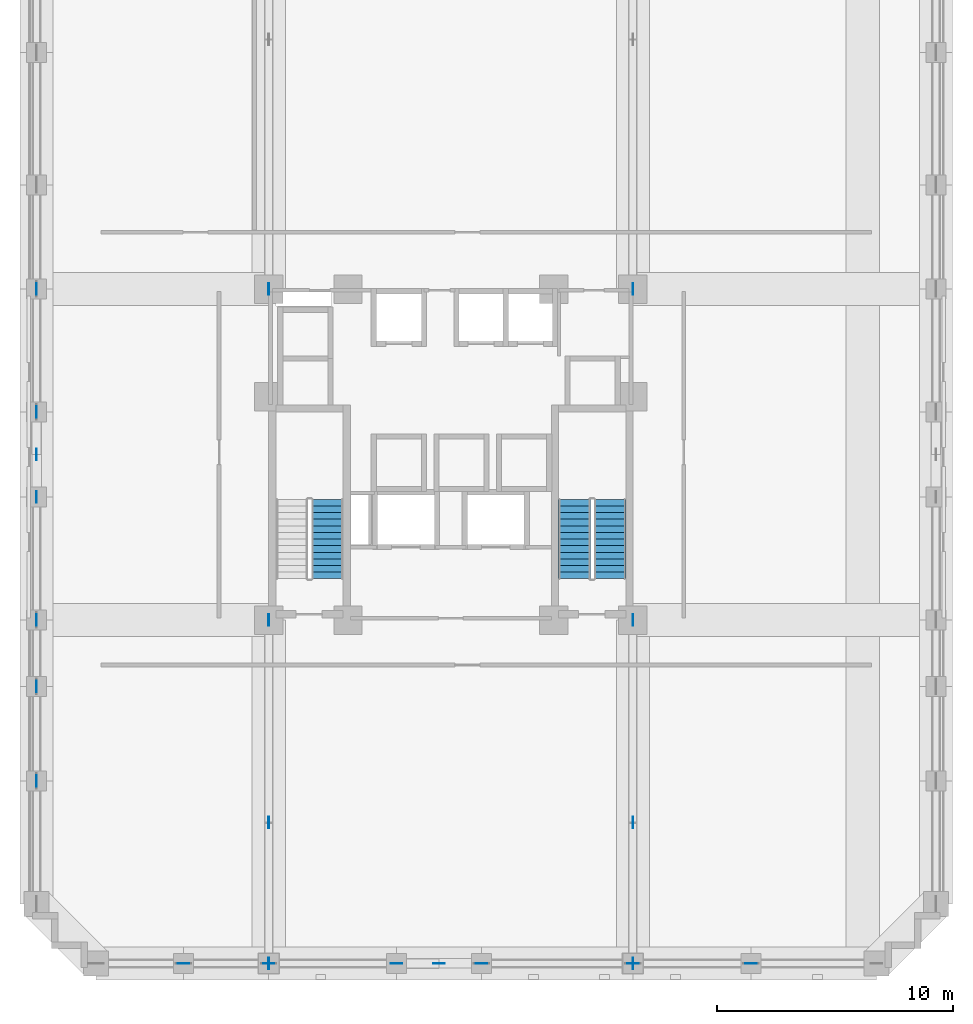
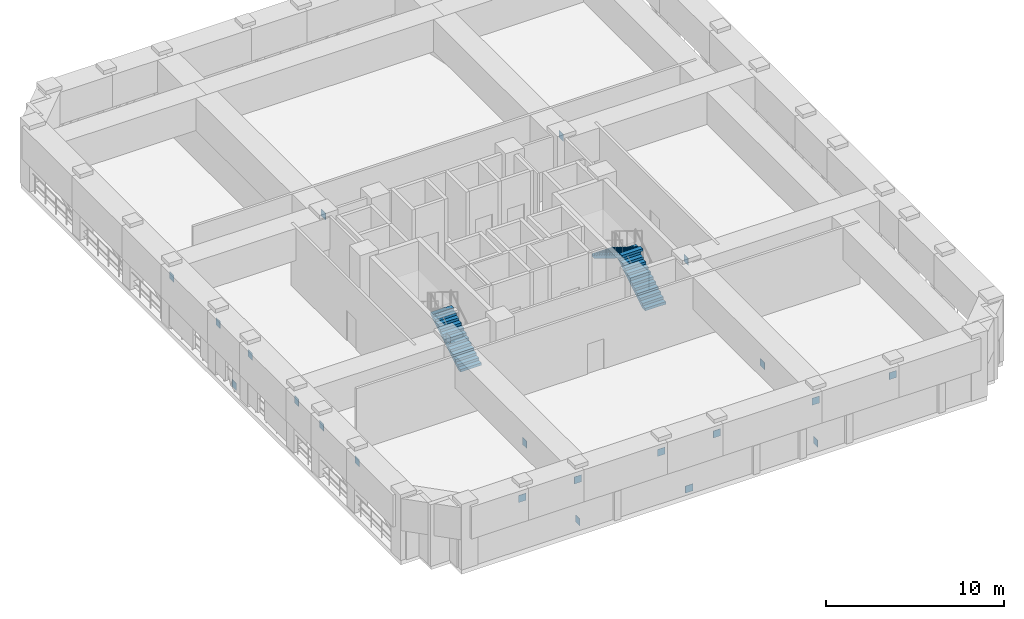
# One storey, part 6 of 11: 22 discrete accessories, 3 stair flights, 2 elements without a shape of their own.
"""IFC4 building model written with IfcOpenShell, lengths in metres."""

from ifc_helpers import new_model, si_unit, derived_unit, direction, frame, origin, origin_2d, place, context, subcontext, project, spatial, polyline, rectangle, outline, extrude, material, layer, layer_set, type_object, element, aggregate, save


model = new_model("IFC4")

# Units and contexts
model_context = context("Model", 3, precision=1e-05, world=origin(), true_north=direction((0.0, 1.0)))
body_context = subcontext(model_context, "Body", "Model", "MODEL_VIEW")
ifc_project = project(units=[si_unit("LENGTHUNIT", "METRE"), si_unit("AREAUNIT", "SQUARE_METRE"), si_unit("VOLUMEUNIT", "CUBIC_METRE"), si_unit("PLANEANGLEUNIT", "RADIAN"), si_unit("MASSUNIT", "GRAM", prefix="KILO"), derived_unit("THERMALTRANSMITTANCEUNIT", [(si_unit("MASSUNIT", "GRAM", prefix="KILO"), 1), (si_unit("TIMEUNIT", "SECOND"), -3), (si_unit("THERMODYNAMICTEMPERATUREUNIT", "KELVIN"), -1)])], contexts=[model_context])

# Site, building, storey
site_placement = place(None, origin())
site = spatial("IfcSite", under=ifc_project, at=site_placement, CompositionType="ELEMENT")
building_placement = place(site_placement, origin())
building = spatial("IfcBuilding", under=site, at=building_placement, Name="Korrvale Station Residences", CompositionType="ELEMENT")
storey_placement = place(building_placement, frame((0.0, 0.0, 70.60009765625)))
storey = spatial("IfcBuildingStorey", under=building, at=storey_placement, Name="L19", CompositionType="ELEMENT", Elevation=70.60009765625)

# Stair, stair flight
ifc_material_1 = material(Name="Concrete C50/60", Category="concrete")
stair_type = type_object("IfcStairType", Name="STR-DL-1350-26R-1731", PredefinedType="HALF_TURN_STAIR", material=ifc_material_1)
stair_1_placement = place(storey_placement, origin())
stair_1 = element("IfcStair", 1, at=stair_1_placement, inside=storey, type_object=stair_type, Name="L19 Exit Stair 1", PredefinedType="HALF_TURN_STAIR")
stair_flight_type = type_object("IfcStairFlightType", Name="FLT-DL-1350-26R-1731", PredefinedType="STRAIGHT", material=ifc_material_1)
stair_flight_1_placement = place(storey_placement, frame((20.27490234375, 16.75, 0.0), z_axis=(0.0, 0.0, 1.0), x_axis=(0.0, 1.0, 0.0)))
stair_flight_1 = element("IfcStairFlight", 2, at=stair_flight_1_placement, type_object=stair_flight_type, Name="ST-1 flight 1", NumberOfRisers=13, NumberOfTreads=12, PredefinedType="STRAIGHT", RiserHeight=0.173076923, TreadLength=0.28, context=body_context, shape_type="SweptSolid", body=[
    extrude(outline(polyline([(0.0, 0.0), (0.0, 0.173095703125), (0.280029296875, 0.173095703125), (0.280029296875, 0.34619140625), (0.56005859375, 0.34619140625), (0.56005859375, 0.519287109375), (0.840087890625, 0.519287109375), (0.840087890625, 0.6923828125), (1.1201171875, 0.6923828125), (1.1201171875, 0.865478515625), (1.39990234375, 0.865478515625), (1.39990234375, 1.03857421875), (1.679931640625, 1.03857421875), (1.679931640625, 1.21142578125), (1.9599609375, 1.21142578125), (1.9599609375, 1.384521484375), (2.239990234375, 1.384521484375), (2.239990234375, 1.5576171875), (2.52001953125, 1.5576171875), (2.52001953125, 1.730712890625), (2.800048828125, 1.730712890625), (2.800048828125, 1.90380859375), (3.080078125, 1.90380859375), (3.080078125, 2.076904296875), (3.360107421875, 2.076904296875), (3.360107421875, 2.25), (3.360107421875, 1.900634765625), (0.28515625, 0.0), (0.0, 0.0)])), frame((0.0, 0.675048828125, 0.0), z_axis=(0.0, -1.0, 0.0), x_axis=(1.0, 0.0, 0.0)), (0.0, 0.0, 1.0), 1.35009765625),
])
aggregate(stair_1, [stair_flight_1])

# Stair, stair flights
stair_2_placement = place(storey_placement, origin())
stair_2 = element("IfcStair", 3, at=stair_2_placement, inside=storey, type_object=stair_type, Name="L19 Exit Stair 2", PredefinedType="HALF_TURN_STAIR")
stair_flight_2_placement = place(storey_placement, frame((32.22509765625, 16.75, 0.0), z_axis=(0.0, 0.0, 1.0), x_axis=(0.0, 1.0, 0.0)))
stair_flight_2 = element("IfcStairFlight", 4, at=stair_flight_2_placement, type_object=stair_flight_type, Name="ST-2 flight 1", NumberOfRisers=13, NumberOfTreads=12, PredefinedType="STRAIGHT", RiserHeight=0.173076923, TreadLength=0.28, context=body_context, shape_type="SweptSolid", body=[
    extrude(outline(polyline([(0.0, 0.0), (0.0, 0.173095703125), (0.280029296875, 0.173095703125), (0.280029296875, 0.34619140625), (0.56005859375, 0.34619140625), (0.56005859375, 0.519287109375), (0.840087890625, 0.519287109375), (0.840087890625, 0.6923828125), (1.1201171875, 0.6923828125), (1.1201171875, 0.865478515625), (1.39990234375, 0.865478515625), (1.39990234375, 1.03857421875), (1.679931640625, 1.03857421875), (1.679931640625, 1.21142578125), (1.9599609375, 1.21142578125), (1.9599609375, 1.384521484375), (2.239990234375, 1.384521484375), (2.239990234375, 1.5576171875), (2.52001953125, 1.5576171875), (2.52001953125, 1.730712890625), (2.800048828125, 1.730712890625), (2.800048828125, 1.90380859375), (3.080078125, 1.90380859375), (3.080078125, 2.076904296875), (3.360107421875, 2.076904296875), (3.360107421875, 2.25), (3.360107421875, 1.900634765625), (0.28515625, 0.0), (0.0, 0.0)])), frame((0.0, 0.675048828125, 0.0), z_axis=(0.0, -1.0, 0.0), x_axis=(1.0, 0.0, 0.0)), (0.0, 0.0, 1.0), 1.35009765625),
])
stair_flight_3_placement = place(storey_placement, frame((30.72509765625, 20.110107421875, 2.25), z_axis=(0.0, 0.0, 1.0), x_axis=(0.0, -1.0, 0.0)))
stair_flight_3 = element("IfcStairFlight", 5, at=stair_flight_3_placement, type_object=stair_flight_type, Name="ST-2 flight 2", NumberOfRisers=13, NumberOfTreads=12, PredefinedType="STRAIGHT", RiserHeight=0.173076923, TreadLength=0.28, context=body_context, shape_type="SweptSolid", body=[
    extrude(outline(polyline([(0.0, 0.0), (0.0, 0.173095703125), (0.280029296875, 0.173095703125), (0.280029296875, 0.34619140625), (0.56005859375, 0.34619140625), (0.56005859375, 0.519287109375), (0.840087890625, 0.519287109375), (0.840087890625, 0.6923828125), (1.1201171875, 0.6923828125), (1.1201171875, 0.865478515625), (1.39990234375, 0.865478515625), (1.39990234375, 1.03857421875), (1.679931640625, 1.03857421875), (1.679931640625, 1.21142578125), (1.9599609375, 1.21142578125), (1.9599609375, 1.384521484375), (2.239990234375, 1.384521484375), (2.239990234375, 1.5576171875), (2.52001953125, 1.5576171875), (2.52001953125, 1.730712890625), (2.800048828125, 1.730712890625), (2.800048828125, 1.90380859375), (3.080078125, 1.90380859375), (3.080078125, 2.076904296875), (3.360107421875, 2.076904296875), (3.360107421875, 2.25), (3.360107421875, 1.900634765625), (0.28515625, 0.0), (0.0, 0.0)])), frame((0.0, 0.675048828125, 0.0), z_axis=(0.0, -1.0, 0.0), x_axis=(1.0, 0.0, 0.0)), (0.0, 0.0, 1.0), 1.35009765625),
])
aggregate(stair_2, [stair_flight_2, stair_flight_3])

# Discrete accessories
ifc_material_2 = material(Name="Steel S355", Category="steel")
ifc_layer = layer(ifc_material_2, 0.02490234375, Name="Steel S355")
ifc_layer_set = layer_set([ifc_layer], Name="Steel S355")
discrete_accessory_type = type_object("IfcDiscreteAccessoryType", Name="ACC-GUSSET-25", PredefinedType="BRACKET", material=ifc_layer_set)
for number, where, z_axis, x_axis, name in (
    (6, (25.0, 0.47998046875, -0.219970703125), (0.0, 0.0, 1.0), (1.0, 0.0, 0.0), "L19 S Brace End Gusset Connection M"),
    (7, (23.199951171875, 0.47998046875, 2.919921875), (0.0, 0.0, 1.0), (1.0, 0.0, 0.0), "L19 S Brace End Gusset Connection A"),
    (8, (26.800048828125, 0.47998046875, 2.919921875), (0.0, 0.0, 1.0), (1.0, 0.0, 0.0), "L19 S Brace End Gusset Connection B"),
    (9, (7.97998046875, 22.0, -0.219970703125), (0.0, 0.0, 1.0), (0.0, 1.0, 0.0), "L19 W Brace End Gusset Connection M"),
    (10, (7.97998046875, 20.199951171875, 2.919921875), (0.0, 0.0, 1.0), (0.0, 1.0, 0.0), "L19 W Brace End Gusset Connection A"),
    (11, (7.97998046875, 23.800048828125, 2.919921875), (0.0, 0.0, 1.0), (0.0, 1.0, 0.0), "L19 W Brace End Gusset Connection B"),
    (12, (14.199951171875, 0.47998046875, 2.919921875), (0.0, 0.0, 1.0), (1.0, 0.0, 0.0), "L19 Belt Truss Top Gusset Connection 01"),
    (13, (17.800048828125, 0.47998046875, 2.919921875), (0.0, 0.0, 1.0), (1.0, 0.0, 0.0), "L19 Belt Truss Top Gusset Connection 02"),
    (14, (33.199951171875, 0.47998046875, 2.919921875), (0.0, 0.0, 1.0), (1.0, 0.0, 0.0), "L19 Belt Truss Top Gusset Connection 04"),
    (15, (38.199951171875, 0.47998046875, 2.919921875), (0.0, 0.0, 1.0), (1.0, 0.0, 0.0), "L19 Belt Truss Top Gusset Connection 05"),
    (16, (7.97998046875, 8.199951171875, 2.919921875), (0.0, 0.0, 1.0), (0.0, 1.0, 0.0), "L19 Belt Truss Top Gusset Connection 13"),
    (17, (7.97998046875, 12.199951171875, 2.919921875), (0.0, 0.0, 1.0), (0.0, 1.0, 0.0), "L19 Belt Truss Top Gusset Connection 14"),
    (18, (7.97998046875, 15.0, 2.919921875), (0.0, 0.0, 1.0), (0.0, 1.0, 0.0), "L19 Belt Truss Top Gusset Connection 15"),
    (19, (7.97998046875, 29.0, 2.919921875), (0.0, 0.0, 1.0), (0.0, 1.0, 0.0), "L19 Belt Truss Top Gusset Connection 17"),
    (20, (17.800048828125, 0.47998046875, 0.10986328125), (0.0, 0.0, 1.0), (0.0, 1.0, 0.0), "L19 Outrigger Gusset Connection 1A"),
    (21, (17.800048828125, 15.0, 3.75), (0.0, 0.0, 1.0), (0.0, 1.0, 0.0), "L19 Outrigger Gusset Connection 1B"),
    (22, (17.800048828125, 6.43994140625, 1.7998046875), (0.0, 0.0, 1.0), (0.0, 1.0, 0.0), "L19 Outrigger Gusset Connection 1M"),
    (23, (33.199951171875, 0.47998046875, 0.10986328125), (0.0, 0.0, 1.0), (0.0, 1.0, 0.0), "L19 Outrigger Gusset Connection 2A"),
    (24, (33.199951171875, 15.0, 3.75), (0.0, 0.0, 1.0), (0.0, 1.0, 0.0), "L19 Outrigger Gusset Connection 2B"),
    (25, (33.199951171875, 6.43994140625, 1.7998046875), (0.0, 0.0, 1.0), (0.0, 1.0, 0.0), "L19 Outrigger Gusset Connection 2M"),
    (26, (17.800048828125, 29.0, 3.75), (0.0, 0.0, 1.0), (0.0, 1.0, 0.0), "L19 Outrigger Gusset Connection 3B"),
    (27, (33.199951171875, 29.0, 3.75), (0.0, 0.0, 1.0), (0.0, 1.0, 0.0), "L19 Outrigger Gusset Connection 4B"),
):
    element("IfcDiscreteAccessory", number, at=place(storey_placement, frame(where, z_axis=z_axis, x_axis=x_axis)), inside=storey, type_object=discrete_accessory_type, Name=name, PredefinedType="BRACKET", context=body_context, shape_type="SweptSolid", body=[
        extrude(rectangle(XDim=0.47998046875, YDim=0.02490234375, at=origin_2d()), origin(), (0.0, 0.0, 1.0), 0.47998046875),
    ])

save(model, "model.ifc")
